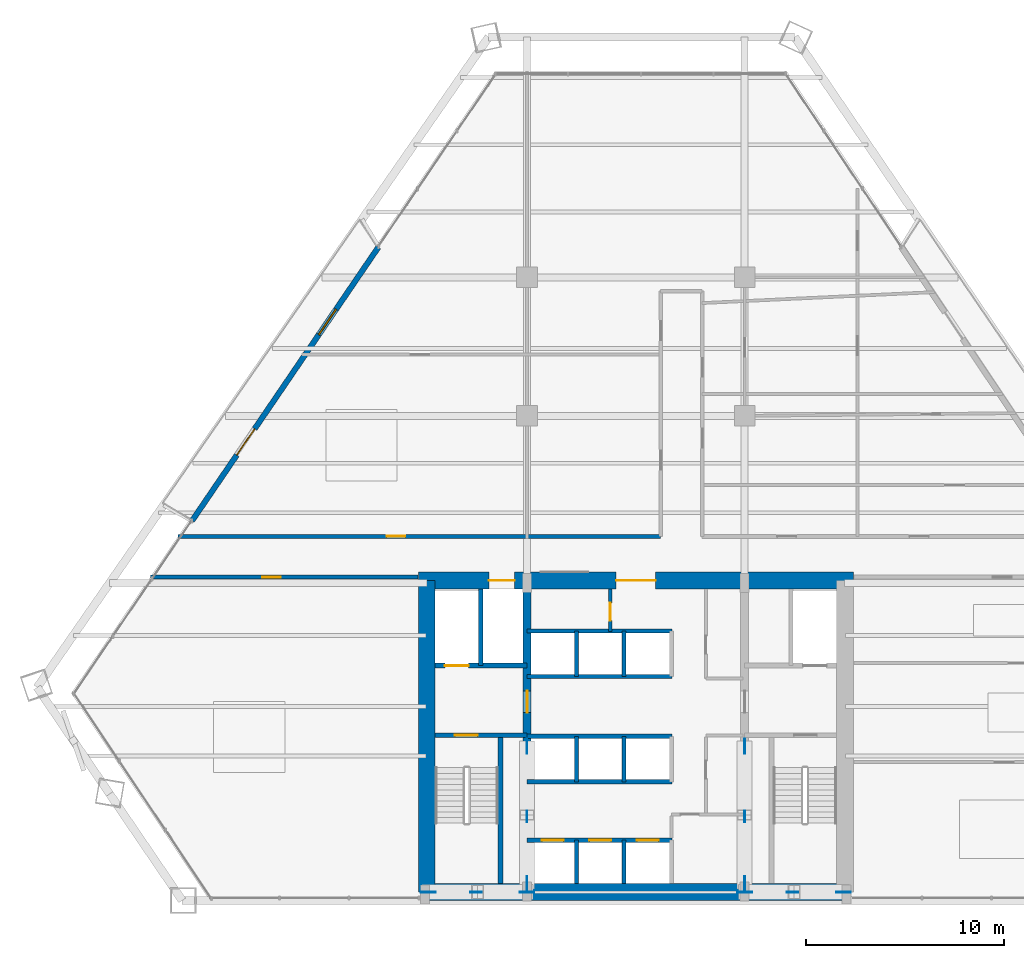
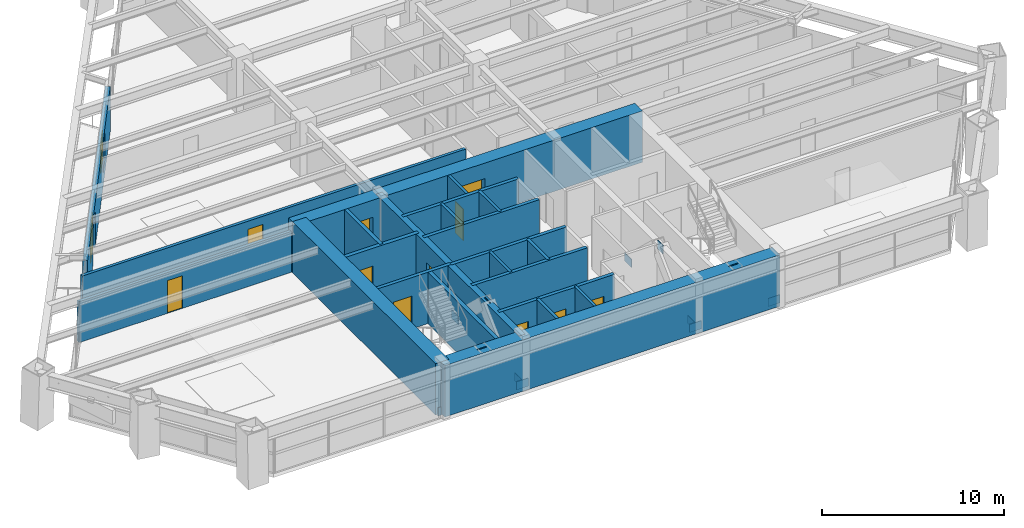
# One storey, part 10 of 14: 23 walls, 12 doors, 12 plates, 1 window, 13 openings.
"""IFC4 building model written with IfcOpenShell, lengths in metres."""

from ifc_helpers import new_model, si_unit, direction, frame, frame_2d, origin, origin_2d, place, context, subcontext, project, spatial, rectangle, extrude, source, transform, mapped, material, layer, layer_set, type_object, type_shapes, element, fill, save


model = new_model("IFC4")

# Units and contexts
model_context = context("Model", 3, precision=1e-05, world=origin(), true_north=direction((0.0, 1.0)))
body_context = subcontext(model_context, "Body", "Model", "MODEL_VIEW")
ifc_project = project(units=[si_unit("LENGTHUNIT", "METRE"), si_unit("AREAUNIT", "SQUARE_METRE"), si_unit("VOLUMEUNIT", "CUBIC_METRE"), si_unit("PLANEANGLEUNIT", "RADIAN"), si_unit("MASSUNIT", "GRAM", prefix="KILO")], contexts=[model_context])

# Site, building, storey
site_placement = place(None, origin())
site = spatial("IfcSite", under=ifc_project, at=site_placement, CompositionType="ELEMENT")
building_placement = place(site_placement, origin())
building = spatial("IfcBuilding", under=site, at=building_placement, Name="Varnakhor Terracotta Tower", CompositionType="ELEMENT")
storey_placement = place(building_placement, frame((0.0, 0.0, 49.699951171875)))
storey = spatial("IfcBuildingStorey", under=building, at=storey_placement, Name="L11", CompositionType="ELEMENT", Elevation=49.699951171875)

# Plates
ifc_material_1 = material(Name="Steel S460", Category="steel")
ifc_layer_1 = layer(ifc_material_1, 0.050048828125, Name="Steel S460")
ifc_layer_set_1 = layer_set([ifc_layer_1], Name="Steel S460")
plate_type = type_object("IfcPlateType", Name="PLT-GUSSET-50", PredefinedType="USERDEFINED", material=ifc_layer_set_1)
shared_shape_1 = source(origin(), body_context, "Body", "SweptSolid", [
    extrude(rectangle(XDim=0.75, YDim=0.0400390625, at=origin_2d()), origin(), (0.0, 0.0, 1.0), 0.550048828125),
])
type_shapes(plate_type, [shared_shape_1])
for number, where, z_axis, x_axis, name in (
    (1, (-10.5, 0.419921875, -0.09521484375), (0.0, 0.0, 1.0), (1.0, 0.0, 0.0), "L11 Core Brace Embed Plate CSWA"),
    (2, (-5.5, 0.419921875, -0.09521484375), (0.0, 0.0, 1.0), (1.0, 0.0, 0.0), "L11 Core Brace Embed Plate CSWB"),
    (3, (5.5, 0.419921875, -0.09521484375), (0.0, 0.0, 1.0), (1.0, 0.0, 0.0), "L11 Core Brace Embed Plate CSEA"),
    (4, (10.5, 0.419921875, -0.09521484375), (0.0, 0.0, 1.0), (1.0, 0.0, 0.0), "L11 Core Brace Embed Plate CSEB"),
    (5, (-5.5, 0.85009765625, -0.09521484375), (0.0, 0.0, 1.0), (0.0, 1.0, 0.0), "L11 Core Brace Embed Plate CWWA"),
    (6, (-5.5, 7.800048828125, -0.09521484375), (0.0, 0.0, 1.0), (0.0, 1.0, 0.0), "L11 Core Brace Embed Plate CWWB"),
    (7, (5.5, 0.85009765625, -0.09521484375), (0.0, 0.0, 1.0), (0.0, 1.0, 0.0), "L11 Core Brace Embed Plate CWEA"),
    (8, (5.5, 7.800048828125, -0.09521484375), (0.0, 0.0, 1.0), (0.0, 1.0, 0.0), "L11 Core Brace Embed Plate CWEB"),
):
    element("IfcPlate", number, at=place(storey_placement, frame(where, z_axis=z_axis, x_axis=x_axis)), inside=storey, type_object=plate_type, Name=name, ObjectType="GUSSET PLATE", PredefinedType="USERDEFINED", context=body_context, shape_type="MappedRepresentation", body=[
        mapped(shared_shape_1, transform((0.0, 0.0, 0.0), scale=1.0)),
    ])
shared_shape_2 = source(origin(), body_context, "Body", "SweptSolid", [
    extrude(rectangle(XDim=0.580078125, YDim=0.0400390625, at=origin_2d()), origin(), (0.0, 0.0, 1.0), 0.580078125),
])
for number, where, z_axis, x_axis, name in (
    (9, (-8.072509765625, 0.419921875, 2.914306640625), (0.0, 0.0, 1.0), (1.0, 0.0, 0.0), "L11 Brace End Connection Plate 40"),
    (10, (7.927490234375, 0.419921875, 2.914306640625), (0.0, 0.0, 1.0), (1.0, 0.0, 0.0), "L11 Brace End Connection Plate 41"),
    (11, (-5.5, 4.238037109375, 2.927490234375), (0.0, 0.0, 1.0), (0.0, 1.0, 0.0), "L11 Brace End Connection Plate 42"),
    (12, (5.5, 4.238037109375, 2.927490234375), (0.0, 0.0, 1.0), (0.0, 1.0, 0.0), "L11 Brace End Connection Plate 43"),
):
    element("IfcPlate", number, at=place(storey_placement, frame(where, z_axis=z_axis, x_axis=x_axis)), inside=storey, type_object=plate_type, Name=name, ObjectType="GUSSET PLATE", PredefinedType="USERDEFINED", context=body_context, shape_type="MappedRepresentation", body=[
        mapped(shared_shape_2, transform((0.0, 0.0, 0.0), scale=1.0)),
    ])

# Wall
ifc_material_2 = material(Name="Concrete C60/75", Category="concrete")
ifc_layer_2 = layer(ifc_material_2, 0.85009765625, Name="Concrete C60/75")
ifc_layer_set_2 = layer_set([ifc_layer_2], Name="Concrete C60/75")
wall_type_1 = type_object("IfcWallType", Name="WAL-CORE-850", PredefinedType="SHEAR", material=ifc_layer_set_2)
wall_1_placement = place(storey_placement, frame((-10.64990234375, 0.425048828125, 0.0), z_axis=(0.0, 0.0, 1.0), x_axis=(1.0, 0.0, 0.0)))
element("IfcWall", 13, at=wall_1_placement, inside=storey, type_object=wall_type_1, Name="L11 South Core Shear Wall", PredefinedType="SHEAR", context=body_context, shape_type="SweptSolid", body=[
    extrude(rectangle(XDim=21.2998046875, YDim=0.85009765625, at=frame_2d((10.64990234375, 0.0))), origin(), (0.0, 0.0, 1.0), 3.449951171875),
])

# Wall, openings, doors
wall_2_placement = place(storey_placement, frame((-11.0, 16.175048828125, 0.0), z_axis=(0.0, 0.0, 1.0), x_axis=(1.0, 0.0, 0.0)))
wall_2 = element("IfcWall", 14, at=wall_2_placement, inside=storey, type_object=wall_type_1, Name="L11 North Core Shear Wall", PredefinedType="SHEAR", context=body_context, shape_type="SweptSolid", body=[
    extrude(rectangle(XDim=22.0, YDim=0.85009765625, at=frame_2d((11.0, 0.0))), origin(), (0.0, 0.0, 1.0), 3.449951171875),
])
opening_1_placement = place(wall_2_placement, frame((3.570068359375, 0.0, 0.0)))
opening_1 = element("IfcOpeningElement", 15, at=opening_1_placement, cuts=wall_2, Name="Opening LD-03", PredefinedType="OPENING", context=body_context, shape_type="SweptSolid", body=[
    extrude(rectangle(XDim=1.300048828125, YDim=2.300048828125, at=frame_2d((0.64990234375, 1.14990234375))), frame((0.0, 0.43505859375, 0.0), z_axis=(0.0, -1.0, 0.0), x_axis=(1.0, 0.0, 0.0)), (0.0, 0.0, 1.0), 0.8701171875),
])
opening_2_placement = place(wall_2_placement, frame((10.0, 0.0, 0.0)))
opening_2 = element("IfcOpeningElement", 16, at=opening_2_placement, cuts=wall_2, Name="Opening DR-32", PredefinedType="OPENING", context=body_context, shape_type="SweptSolid", body=[
    extrude(rectangle(XDim=2.0, YDim=2.39990234375, at=frame_2d((1.0, 1.199951171875))), frame((0.0, 0.43505859375, 0.0), z_axis=(0.0, -1.0, 0.0), x_axis=(1.0, 0.0, 0.0)), (0.0, 0.0, 1.0), 0.8701171875),
])
ifc_material_3 = material(Name="Heavy-Duty Goods Sliding Lift Landing Door", Category="steel")
door_type_1 = type_object("IfcDoorType", Name="LD-SRV-1300X2300", OperationType="NOTDEFINED", PredefinedType="DOOR", material=ifc_material_3)
shared_shape_3 = source(origin(), body_context, "Body", "SweptSolid", [
    extrude(rectangle(XDim=1.300048828125, YDim=2.300048828125, at=frame_2d((0.64990234375, 1.14990234375))), frame((0.0, 0.02490234375, 0.0), z_axis=(0.0, -1.0, 0.0), x_axis=(1.0, 0.0, 0.0)), (0.0, 0.0, 1.0), 0.050048828125),
])
type_shapes(door_type_1, [shared_shape_3])
door_1_placement = place(opening_1_placement, origin())
door_1 = element("IfcDoor", 17, at=door_1_placement, inside=storey, type_object=door_type_1, Name="L11 Service Lift SVL-1 Landing Door", OperationType="SLIDING_TO_RIGHT", OverallHeight=2.300048828125, OverallWidth=1.300048828125, PredefinedType="DOOR", context=body_context, shape_type="MappedRepresentation", body=[
    mapped(shared_shape_3, transform((0.0, 0.0, 0.0), scale=1.0)),
])
fill(opening_1, door_1)
ifc_material_4 = material(Name="Acoustic Double Assembly Fire Door", Category="wood")
door_type_2 = type_object("IfcDoorType", Name="DR-HALL-2000X2400", OperationType="NOTDEFINED", PredefinedType="DOOR", material=ifc_material_4)
shared_shape_4 = source(origin(), body_context, "Body", "SweptSolid", [
    extrude(rectangle(XDim=2.0, YDim=2.39990234375, at=frame_2d((1.0, 1.199951171875))), frame((0.0, 0.02490234375, 0.0), z_axis=(0.0, -1.0, 0.0), x_axis=(1.0, 0.0, 0.0)), (0.0, 0.0, 1.0), 0.050048828125),
])
type_shapes(door_type_2, [shared_shape_4])
door_2_placement = place(opening_2_placement, origin())
door_2 = element("IfcDoor", 18, at=door_2_placement, inside=storey, type_object=door_type_2, Name="L11 Core Main Lobby Double Door", OperationType="DOUBLE_DOOR_SINGLE_SWING", OverallHeight=2.39990234375, OverallWidth=2.0, PredefinedType="DOOR", context=body_context, shape_type="MappedRepresentation", body=[
    mapped(shared_shape_4, transform((0.0, 0.0, 0.0), scale=1.0)),
])
fill(opening_2, door_2)

# Wall
wall_3_placement = place(storey_placement, frame((-10.574951171875, 0.425048828125, 0.0), z_axis=(0.0, 0.0, 1.0), x_axis=(0.0, 1.0, 0.0)))
element("IfcWall", 19, at=wall_3_placement, inside=storey, type_object=wall_type_1, Name="L11 West Core Shear Wall", PredefinedType="SHEAR", context=body_context, shape_type="SweptSolid", body=[
    extrude(rectangle(XDim=15.75, YDim=0.85009765625, at=frame_2d((7.875, 0.0))), origin(), (0.0, 0.0, 1.0), 3.449951171875),
])

# Wall, opening, door
ifc_material_5 = material(Name="Concrete C50/60", Category="concrete")
ifc_layer_3 = layer(ifc_material_5, 0.39990234375, Name="Concrete C50/60")
ifc_layer_set_3 = layer_set([ifc_layer_3], Name="Concrete C50/60")
wall_type_2 = type_object("IfcWallType", Name="WAL-CORE-WEB-400", PredefinedType="SHEAR", material=ifc_layer_set_3)
wall_4_placement = place(storey_placement, frame((-5.5, 0.425048828125, 0.0), z_axis=(0.0, 0.0, 1.0), x_axis=(0.0, 1.0, 0.0)))
wall_4 = element("IfcWall", 20, at=wall_4_placement, inside=storey, type_object=wall_type_2, Name="L11 West Core Web Shear Wall", PredefinedType="SHEAR", context=body_context, shape_type="SweptSolid", body=[
    extrude(rectangle(XDim=15.75, YDim=0.39990234375, at=frame_2d((7.875, 0.0))), origin(), (0.0, 0.0, 1.0), 3.449951171875),
])
opening_3_placement = place(wall_4_placement, frame((9.074951171875, 0.0, 0.0)))
opening_3 = element("IfcOpeningElement", 21, at=opening_3_placement, cuts=wall_4, Name="Opening DR-25", PredefinedType="OPENING", context=body_context, shape_type="SweptSolid", body=[
    extrude(rectangle(XDim=1.10009765625, YDim=2.199951171875, at=frame_2d((0.550048828125, 1.10009765625))), frame((0.0, 0.2099609375, 0.0), z_axis=(0.0, -1.0, 0.0), x_axis=(1.0, 0.0, 0.0)), (0.0, 0.0, 1.0), 0.419921875),
])
ifc_material_6 = material(Name="Firefighting Lobby Self-Closing Fire Door", Category="steel")
door_type_3 = type_object("IfcDoorType", Name="DR-FFL-1100X2200", OperationType="NOTDEFINED", PredefinedType="DOOR", material=ifc_material_6)
shared_shape_5 = source(origin(), body_context, "Body", "SweptSolid", [
    extrude(rectangle(XDim=1.10009765625, YDim=2.199951171875, at=frame_2d((0.550048828125, 1.10009765625))), frame((0.0, 0.02490234375, 0.0), z_axis=(0.0, -1.0, 0.0), x_axis=(1.0, 0.0, 0.0)), (0.0, 0.0, 1.0), 0.050048828125),
])
type_shapes(door_type_3, [shared_shape_5])
door_3_placement = place(opening_3_placement, origin())
door_3 = element("IfcDoor", 22, at=door_3_placement, inside=storey, type_object=door_type_3, Name="L11 West Firefighting Lobby Door", OperationType="SINGLE_SWING_LEFT", OverallHeight=2.199951171875, OverallWidth=1.10009765625, PredefinedType="DOOR", context=body_context, shape_type="MappedRepresentation", body=[
    mapped(shared_shape_5, transform((0.0, 0.0, 0.0), scale=1.0)),
])
fill(opening_3, door_3)

ifc_material_7 = material(Name="Fire-Rated Gypsum Stud Partition", Category="gypsum")
ifc_layer_4 = layer(ifc_material_7, 0.18505859375, Name="Fire-Rated Gypsum Stud Partition")
ifc_layer_set_4 = layer_set([ifc_layer_4], Name="Fire-Rated Gypsum Stud Partition")
wall_type_3 = type_object("IfcWallType", Name="WAL-CORR-185", PredefinedType="PARTITIONING", material=ifc_layer_set_4)
wall_5_placement = place(storey_placement, frame((-24.531005859375, 16.35009765625, 0.0), z_axis=(0.0, 0.0, 1.0), x_axis=(1.0, 0.0, 0.0)))
wall_5 = element("IfcWall", 23, at=wall_5_placement, inside=storey, type_object=wall_type_3, Name="L11 South West Corridor Wall", PredefinedType="PARTITIONING", context=body_context, shape_type="SweptSolid", body=[
    extrude(rectangle(XDim=13.510986328125, YDim=0.18505859375, at=frame_2d((6.75537109375, 0.0))), origin(), (0.0, 0.0, 1.0), 2.7470703125),
])
opening_4_placement = place(wall_5_placement, frame((5.638916015625, 0.0, 0.0)))
opening_4 = element("IfcOpeningElement", 24, at=opening_4_placement, cuts=wall_5, Name="Opening DR-94", PredefinedType="OPENING", context=body_context, shape_type="SweptSolid", body=[
    extrude(rectangle(XDim=0.949951171875, YDim=2.199951171875, at=frame_2d((0.47509765625, 1.10009765625))), frame((0.0, 0.1025390625, 0.0), z_axis=(0.0, -1.0, 0.0), x_axis=(1.0, 0.0, 0.0)), (0.0, 0.0, 1.0), 0.205078125),
])
ifc_material_8 = material(Name="Acoustic Glazed-Vision Timber Office Door", Category="wood")
door_type_4 = type_object("IfcDoorType", Name="DR-OFF-950X2200", OperationType="NOTDEFINED", PredefinedType="DOOR", material=ifc_material_8)
shared_shape_6 = source(origin(), body_context, "Body", "SweptSolid", [
    extrude(rectangle(XDim=0.949951171875, YDim=2.199951171875, at=frame_2d((0.47509765625, 1.10009765625))), frame((0.0, 0.02490234375, 0.0), z_axis=(0.0, -1.0, 0.0), x_axis=(1.0, 0.0, 0.0)), (0.0, 0.0, 1.0), 0.050048828125),
])
type_shapes(door_type_4, [shared_shape_6])
door_4_placement = place(opening_4_placement, origin())
door_4 = element("IfcDoor", 25, at=door_4_placement, inside=storey, type_object=door_type_4, Name="L11 SW Suite Door", OperationType="SINGLE_SWING_RIGHT", OverallHeight=2.199951171875, OverallWidth=0.949951171875, PredefinedType="DOOR", context=body_context, shape_type="MappedRepresentation", body=[
    mapped(shared_shape_6, transform((0.0, 0.0, 0.0), scale=1.0)),
])
fill(opening_4, door_4)

wall_6_placement = place(storey_placement, frame((-23.134765625, 18.39990234375, 0.0), z_axis=(0.0, 0.0, 1.0), x_axis=(1.0, 0.0, 0.0)))
wall_6 = element("IfcWall", 26, at=wall_6_placement, inside=storey, type_object=wall_type_3, Name="L11 Corridor North West Wall", PredefinedType="PARTITIONING", context=body_context, shape_type="SweptSolid", body=[
    extrude(rectangle(XDim=24.384765625, YDim=0.18505859375, at=frame_2d((12.1923828125, 0.0))), origin(), (0.0, 0.0, 1.0), 2.7470703125),
])
opening_5_placement = place(wall_6_placement, frame((10.531982421875, 0.0, 0.0)))
opening_5 = element("IfcOpeningElement", 27, at=opening_5_placement, cuts=wall_6, Name="Opening DR-94", PredefinedType="OPENING", context=body_context, shape_type="SweptSolid", body=[
    extrude(rectangle(XDim=0.949951171875, YDim=2.199951171875, at=frame_2d((0.47509765625, 1.10009765625))), frame((0.0, 0.1025390625, 0.0), z_axis=(0.0, -1.0, 0.0), x_axis=(1.0, 0.0, 0.0)), (0.0, 0.0, 1.0), 0.205078125),
])
door_5_placement = place(opening_5_placement, origin())
door_5 = element("IfcDoor", 28, at=door_5_placement, inside=storey, type_object=door_type_4, Name="L11 West Workplace Door", OperationType="SINGLE_SWING_RIGHT", OverallHeight=2.199951171875, OverallWidth=0.949951171875, PredefinedType="DOOR", context=body_context, shape_type="MappedRepresentation", body=[
    mapped(shared_shape_6, transform((0.0, 0.0, 0.0), scale=1.0)),
])
fill(opening_5, door_5)

# Wall, openings, door, window
ifc_material_9 = material(Name="Extruded Architectural Terracotta Assembly", Category="masonry")
ifc_layer_5 = layer(ifc_material_9, 0.280029296875, Name="Extruded Architectural Terracotta Assembly")
ifc_layer_set_5 = layer_set([ifc_layer_5], Name="Extruded Architectural Terracotta Assembly")
wall_type_4 = type_object("IfcWallType", Name="WAL-EXT-TERRACOTTA-280", PredefinedType="SOLIDWALL", material=ifc_layer_set_5)
wall_7_placement = place(storey_placement, frame((-22.434814453125, 19.196533203125, 0.0), z_axis=(0.0, 0.0, 1.0), x_axis=(0.562920759349, 0.826510870282, 0.0)))
wall_7 = element("IfcWall", 29, at=wall_7_placement, inside=storey, type_object=wall_type_4, Name="L11 W Loggia Insulated Terracotta Wall", PredefinedType="SOLIDWALL", context=body_context, shape_type="SweptSolid", body=[
    extrude(rectangle(XDim=16.73583984375, YDim=0.280029296875, at=frame_2d((8.367919921875, 0.0))), origin(), (0.0, 0.0, 1.0), 3.030029296875),
])
opening_6_placement = place(wall_7_placement, frame((4.0166015625, 0.0, 0.0)))
opening_6 = element("IfcOpeningElement", 30, at=opening_6_placement, cuts=wall_7, Name="Opening DR-62", PredefinedType="OPENING", context=body_context, shape_type="SweptSolid", body=[
    extrude(rectangle(XDim=1.60009765625, YDim=2.35009765625, at=frame_2d((0.800048828125, 1.175048828125))), frame((0.0, 0.14990234375, 0.0), z_axis=(0.0, -1.0, 0.0), x_axis=(1.0, 0.0, 0.0)), (0.0, 0.0, 1.0), 0.300048828125),
])
opening_7_placement = place(wall_7_placement, frame((11.38037109375, 0.0, 0.89990234375)))
opening_7 = element("IfcOpeningElement", 31, at=opening_7_placement, cuts=wall_7, Name="Opening WN-57", PredefinedType="OPENING", context=body_context, shape_type="SweptSolid", body=[
    extrude(rectangle(XDim=1.550048828125, YDim=1.85009765625, at=frame_2d((0.77490234375, 0.925048828125))), frame((0.0, 0.14990234375, 0.0), z_axis=(0.0, -1.0, 0.0), x_axis=(1.0, 0.0, 0.0)), (0.0, 0.0, 1.0), 0.300048828125),
])
ifc_material_10 = material(Name="Thermally Broken Sliding Glass Loggia Door", Category="glass")
door_type_5 = type_object("IfcDoorType", Name="DR-EXT-LOGGIA-1600X2350", OperationType="NOTDEFINED", PredefinedType="DOOR", material=ifc_material_10)
shared_shape_7 = source(origin(), body_context, "Body", "SweptSolid", [
    extrude(rectangle(XDim=1.60009765625, YDim=2.35009765625, at=frame_2d((0.800048828125, 1.175048828125))), frame((0.0, 0.02490234375, 0.0), z_axis=(0.0, -1.0, 0.0), x_axis=(1.0, 0.0, 0.0)), (0.0, 0.0, 1.0), 0.050048828125),
])
type_shapes(door_type_5, [shared_shape_7])
door_6_placement = place(opening_6_placement, origin())
door_6 = element("IfcDoor", 32, at=door_6_placement, inside=storey, type_object=door_type_5, Name="L11 W Recessed Loggia Sliding Door", OperationType="SLIDING_TO_LEFT", OverallHeight=2.35009765625, OverallWidth=1.60009765625, PredefinedType="DOOR", context=body_context, shape_type="MappedRepresentation", body=[
    mapped(shared_shape_7, transform((0.0, 0.0, 0.0), scale=1.0)),
])
fill(opening_6, door_6)
ifc_material_11 = material(Name="Solar-Control Low-E Insulated Glass Unit", Category="glass")
window_type = type_object("IfcWindowType", Name="WIN-OFF-1650X2100", PartitioningType="SINGLE_PANEL", PredefinedType="WINDOW", material=ifc_material_11)
shared_shape_8 = source(origin(), body_context, "Body", "SweptSolid", [
    extrude(rectangle(XDim=1.550048828125, YDim=1.85009765625, at=frame_2d((0.77490234375, 0.925048828125))), frame((0.0, 0.030029296875, 0.0), z_axis=(0.0, -1.0, 0.0), x_axis=(1.0, 0.0, 0.0)), (0.0, 0.0, 1.0), 0.06005859375),
])
type_shapes(window_type, [shared_shape_8])
window_placement = place(opening_7_placement, origin())
window = element("IfcWindow", 33, at=window_placement, inside=storey, type_object=window_type, Name="L11 W Facet Punched Window", OverallHeight=1.85009765625, OverallWidth=1.550048828125, PartitioningType="SINGLE_PANEL", PredefinedType="WINDOW", context=body_context, shape_type="MappedRepresentation", body=[
    mapped(shared_shape_8, transform((0.0, 0.0, 0.0), scale=1.0)),
])
fill(opening_7, window)

# Wall, opening, door
ifc_material_12 = material(Name="Concrete C40/50", Category="concrete")
ifc_layer_6 = layer(ifc_material_12, 0.219970703125, Name="Concrete C40/50")
ifc_layer_set_6 = layer_set([ifc_layer_6], Name="Concrete C40/50")
wall_type_5 = type_object("IfcWallType", Name="WAL-FFLOBBY-220", PredefinedType="SOLIDWALL", material=ifc_layer_set_6)
wall_8_placement = place(storey_placement, frame((-5.5, 8.35009765625, 0.0), z_axis=(0.0, 0.0, 1.0), x_axis=(-1.0, 0.0, 0.0)))
wall_8 = element("IfcWall", 34, at=wall_8_placement, inside=storey, type_object=wall_type_5, Name="L11 West Firefighting Lobby Stair Wall", PredefinedType="SOLIDWALL", context=body_context, shape_type="SweptSolid", body=[
    extrude(rectangle(XDim=4.64990234375, YDim=0.219970703125, at=frame_2d((2.324951171875, 0.0))), origin(), (0.0, 0.0, 1.0), 3.449951171875),
])
opening_8_placement = place(wall_8_placement, frame((2.5, 0.0, 0.0)))
opening_8 = element("IfcOpeningElement", 35, at=opening_8_placement, cuts=wall_8, Name="Opening DR-34", PredefinedType="OPENING", context=body_context, shape_type="SweptSolid", body=[
    extrude(rectangle(XDim=1.14990234375, YDim=2.199951171875, at=frame_2d((0.574951171875, 1.10009765625))), frame((0.0, 0.1201171875, 0.0), z_axis=(0.0, -1.0, 0.0), x_axis=(1.0, 0.0, 0.0)), (0.0, 0.0, 1.0), 0.239990234375),
])
ifc_material_13 = material(Name="Self-Closing Smoke-Sealed Steel Fire Door", Category="steel")
door_type_6 = type_object("IfcDoorType", Name="DR-STAIR-1150X2200", OperationType="NOTDEFINED", PredefinedType="DOOR", material=ifc_material_13)
shared_shape_9 = source(origin(), body_context, "Body", "SweptSolid", [
    extrude(rectangle(XDim=1.14990234375, YDim=2.199951171875, at=frame_2d((0.574951171875, 1.10009765625))), frame((0.0, 0.02490234375, 0.0), z_axis=(0.0, -1.0, 0.0), x_axis=(1.0, 0.0, 0.0)), (0.0, 0.0, 1.0), 0.050048828125),
])
type_shapes(door_type_6, [shared_shape_9])
door_7_placement = place(opening_8_placement, origin())
door_7 = element("IfcDoor", 36, at=door_7_placement, inside=storey, type_object=door_type_6, Name="L11 Exit Stair ST-1 Fire Door", OperationType="SINGLE_SWING_RIGHT", OverallHeight=2.199951171875, OverallWidth=1.14990234375, PredefinedType="DOOR", context=body_context, shape_type="MappedRepresentation", body=[
    mapped(shared_shape_9, transform((0.0, 0.0, 0.0), scale=1.0)),
])
fill(opening_8, door_7)

# Walls
ifc_layer_7 = layer(ifc_material_12, 0.179931640625, Name="Concrete C40/50")
ifc_layer_set_7 = layer_set([ifc_layer_7], Name="Concrete C40/50")
wall_type_6 = type_object("IfcWallType", Name="WAL-SHAFT-180", PredefinedType="SOLIDWALL", material=ifc_layer_set_7)
for number, where, z_axis, x_axis, name in (
    (37, (-3.0, 0.85009765625, 0.0), (0.0, 0.0, 1.0), (0.0, 1.0, 0.0), "L11 PL-1A Divider"),
    (38, (-0.60009765625, 0.85009765625, 0.0), (0.0, 0.0, 1.0), (0.0, 1.0, 0.0), "L11 PL-1B Divider"),
):
    element("IfcWall", number, at=place(storey_placement, frame(where, z_axis=z_axis, x_axis=x_axis)), inside=storey, type_object=wall_type_6, Name=name, PredefinedType="SOLIDWALL", context=body_context, shape_type="SweptSolid", body=[
        extrude(rectangle(XDim=2.199951171875, YDim=0.179931640625, at=frame_2d((1.10009765625, 0.0))), origin(), (0.0, 0.0, 1.0), 3.449951171875),
    ])
for number, where, z_axis, x_axis, name in (
    (39, (-3.0, 6.0, 0.0), (0.0, 0.0, 1.0), (0.0, 1.0, 0.0), "L11 PL-2A Divider"),
    (40, (-0.60009765625, 6.0, 0.0), (0.0, 0.0, 1.0), (0.0, 1.0, 0.0), "L11 PL-2B Divider"),
    (41, (-3.0, 11.320068359375, 0.0), (0.0, 0.0, 1.0), (0.0, 1.0, 0.0), "L11 PL-3A Divider"),
    (42, (-0.60009765625, 11.320068359375, 0.0), (0.0, 0.0, 1.0), (0.0, 1.0, 0.0), "L11 PL-3B Divider"),
):
    element("IfcWall", number, at=place(storey_placement, frame(where, z_axis=z_axis, x_axis=x_axis)), inside=storey, type_object=wall_type_6, Name=name, PredefinedType="SOLIDWALL", context=body_context, shape_type="SweptSolid", body=[
        extrude(rectangle(XDim=2.300048828125, YDim=0.179931640625, at=frame_2d((1.14990234375, 0.0))), origin(), (0.0, 0.0, 1.0), 3.449951171875),
    ])
ifc_layer_8 = layer(ifc_material_12, 0.219970703125, Name="Concrete C40/50")
ifc_layer_set_8 = layer_set([ifc_layer_8], Name="Concrete C40/50")
wall_type_7 = type_object("IfcWallType", Name="WAL-SHAFT-220", PredefinedType="SOLIDWALL", material=ifc_layer_set_8)
wall_9_placement = place(storey_placement, frame((-7.840087890625, 11.8701171875, 0.0), z_axis=(0.0, 0.0, 1.0), x_axis=(0.0, 1.0, 0.0)))
element("IfcWall", 43, at=wall_9_placement, inside=storey, type_object=wall_type_7, Name="L11 Lift FFL-1 and SVL-1 Divider Wall", PredefinedType="SOLIDWALL", context=body_context, shape_type="SweptSolid", body=[
    extrude(rectangle(XDim=3.8798828125, YDim=0.219970703125, at=frame_2d((1.93994140625, 0.0))), origin(), (0.0, 0.0, 1.0), 3.449951171875),
])

# Wall, openings, doors
wall_10_placement = place(storey_placement, frame((-5.5, 3.050048828125, 0.0), z_axis=(0.0, 0.0, 1.0), x_axis=(1.0, 0.0, 0.0)))
wall_10 = element("IfcWall", 44, at=wall_10_placement, inside=storey, type_object=wall_type_7, Name="L11 Bank 1 Lift Shaft Wall", PredefinedType="SOLIDWALL", context=body_context, shape_type="SweptSolid", body=[
    extrude(rectangle(XDim=7.320068359375, YDim=0.219970703125, at=frame_2d((3.66015625, 0.0))), origin(), (0.0, 0.0, 1.0), 3.449951171875),
])
opening_9_placement = place(wall_10_placement, frame((0.75, 0.0, 0.0)))
opening_9 = element("IfcOpeningElement", 45, at=opening_9_placement, cuts=wall_10, Name="Opening LD-01", PredefinedType="OPENING", context=body_context, shape_type="SweptSolid", body=[
    extrude(rectangle(XDim=1.10009765625, YDim=2.199951171875, at=frame_2d((0.550048828125, 1.10009765625))), frame((0.0, 0.1201171875, 0.0), z_axis=(0.0, -1.0, 0.0), x_axis=(1.0, 0.0, 0.0)), (0.0, 0.0, 1.0), 0.239990234375),
])
opening_10_placement = place(wall_10_placement, frame((3.14990234375, 0.0, 0.0)))
opening_10 = element("IfcOpeningElement", 46, at=opening_10_placement, cuts=wall_10, Name="Opening LD-01", PredefinedType="OPENING", context=body_context, shape_type="SweptSolid", body=[
    extrude(rectangle(XDim=1.10009765625, YDim=2.199951171875, at=frame_2d((0.550048828125, 1.10009765625))), frame((0.0, 0.1201171875, 0.0), z_axis=(0.0, -1.0, 0.0), x_axis=(1.0, 0.0, 0.0)), (0.0, 0.0, 1.0), 0.239990234375),
])
opening_11_placement = place(wall_10_placement, frame((5.550048828125, 0.0, 0.0)))
opening_11 = element("IfcOpeningElement", 47, at=opening_11_placement, cuts=wall_10, Name="Opening LD-01", PredefinedType="OPENING", context=body_context, shape_type="SweptSolid", body=[
    extrude(rectangle(XDim=1.10009765625, YDim=2.199951171875, at=frame_2d((0.550048828125, 1.10009765625))), frame((0.0, 0.1201171875, 0.0), z_axis=(0.0, -1.0, 0.0), x_axis=(1.0, 0.0, 0.0)), (0.0, 0.0, 1.0), 0.239990234375),
])
ifc_material_14 = material(Name="Brushed Stainless Steel Sliding Lift Landing Door", Category="steel")
door_type_7 = type_object("IfcDoorType", Name="LD-PASS-1100X2200", OperationType="NOTDEFINED", PredefinedType="DOOR", material=ifc_material_14)
shared_shape_10 = source(origin(), body_context, "Body", "SweptSolid", [
    extrude(rectangle(XDim=1.10009765625, YDim=2.199951171875, at=frame_2d((0.550048828125, 1.10009765625))), frame((0.0, 0.02490234375, 0.0), z_axis=(0.0, -1.0, 0.0), x_axis=(1.0, 0.0, 0.0)), (0.0, 0.0, 1.0), 0.050048828125),
])
type_shapes(door_type_7, [shared_shape_10])
door_8_placement = place(opening_9_placement, origin())
door_8 = element("IfcDoor", 48, at=door_8_placement, inside=storey, type_object=door_type_7, Name="L11 Passenger Lift PL-1A Landing Door", OperationType="SLIDING_TO_RIGHT", OverallHeight=2.199951171875, OverallWidth=1.10009765625, PredefinedType="DOOR", context=body_context, shape_type="MappedRepresentation", body=[
    mapped(shared_shape_10, transform((0.0, 0.0, 0.0), scale=1.0)),
])
fill(opening_9, door_8)
door_9_placement = place(opening_10_placement, origin())
door_9 = element("IfcDoor", 49, at=door_9_placement, inside=storey, type_object=door_type_7, Name="L11 Passenger Lift PL-1B Landing Door", OperationType="SLIDING_TO_RIGHT", OverallHeight=2.199951171875, OverallWidth=1.10009765625, PredefinedType="DOOR", context=body_context, shape_type="MappedRepresentation", body=[
    mapped(shared_shape_10, transform((0.0, 0.0, 0.0), scale=1.0)),
])
fill(opening_10, door_9)
door_10_placement = place(opening_11_placement, origin())
door_10 = element("IfcDoor", 50, at=door_10_placement, inside=storey, type_object=door_type_7, Name="L11 Passenger Lift PL-1C Landing Door", OperationType="SLIDING_TO_RIGHT", OverallHeight=2.199951171875, OverallWidth=1.10009765625, PredefinedType="DOOR", context=body_context, shape_type="MappedRepresentation", body=[
    mapped(shared_shape_10, transform((0.0, 0.0, 0.0), scale=1.0)),
])
fill(opening_11, door_10)

# Walls
for number, where, z_axis, x_axis, name in (
    (51, (-5.5, 6.0, 0.0), (0.0, 0.0, 1.0), (1.0, 0.0, 0.0), "L11 Bank 2 South Shaft Wall"),
    (52, (-5.5, 8.300048828125, 0.0), (0.0, 0.0, 1.0), (1.0, 0.0, 0.0), "L11 Bank 2 North Shaft Wall"),
    (53, (-5.5, 11.320068359375, 0.0), (0.0, 0.0, 1.0), (1.0, 0.0, 0.0), "L11 Bank 3 South Shaft Wall"),
    (54, (-5.5, 13.6201171875, 0.0), (0.0, 0.0, 1.0), (1.0, 0.0, 0.0), "L11 Bank 3 North Shaft Wall"),
):
    element("IfcWall", number, at=place(storey_placement, frame(where, z_axis=z_axis, x_axis=x_axis)), inside=storey, type_object=wall_type_7, Name=name, PredefinedType="SOLIDWALL", context=body_context, shape_type="SweptSolid", body=[
        extrude(rectangle(XDim=7.320068359375, YDim=0.219970703125, at=frame_2d((3.66015625, 0.0))), origin(), (0.0, 0.0, 1.0), 3.449951171875),
    ])
ifc_layer_9 = layer(ifc_material_12, 0.25, Name="Concrete C40/50")
ifc_layer_set_9 = layer_set([ifc_layer_9], Name="Concrete C40/50")
wall_type_8 = type_object("IfcWallType", Name="WAL-SHAFT-250", PredefinedType="SOLIDWALL", material=ifc_layer_set_9)
wall_11_placement = place(storey_placement, frame((-6.85009765625, 0.85009765625, 0.0), z_axis=(0.0, 0.0, 1.0), x_axis=(0.0, 1.0, 0.0)))
element("IfcWall", 55, at=wall_11_placement, inside=storey, type_object=wall_type_8, Name="L11 Stair ST-1 Bearing Shaft Wall", PredefinedType="SOLIDWALL", context=body_context, shape_type="SweptSolid", body=[
    extrude(rectangle(XDim=7.5, YDim=0.25, at=frame_2d((3.75, 0.0))), origin(), (0.0, 0.0, 1.0), 3.449951171875),
])

# Wall, opening, door
wall_12_placement = place(storey_placement, frame((-5.5, 11.8701171875, 0.0), z_axis=(0.0, 0.0, 1.0), x_axis=(-1.0, 0.0, 0.0)))
wall_12 = element("IfcWall", 56, at=wall_12_placement, inside=storey, type_object=wall_type_8, Name="L11 Lift FFL-1 Shaft Front Wall", PredefinedType="SOLIDWALL", context=body_context, shape_type="SweptSolid", body=[
    extrude(rectangle(XDim=4.64990234375, YDim=0.25, at=frame_2d((2.324951171875, 0.0))), origin(), (0.0, 0.0, 1.0), 3.449951171875),
])
opening_12_placement = place(wall_12_placement, frame((2.949951171875, 0.0, 0.0)))
opening_12 = element("IfcOpeningElement", 57, at=opening_12_placement, cuts=wall_12, Name="Opening LD-02", PredefinedType="OPENING", context=body_context, shape_type="SweptSolid", body=[
    extrude(rectangle(XDim=1.199951171875, YDim=2.25, at=frame_2d((0.60009765625, 1.125))), frame((0.0, 0.135009765625, 0.0), z_axis=(0.0, -1.0, 0.0), x_axis=(1.0, 0.0, 0.0)), (0.0, 0.0, 1.0), 0.27001953125),
])
ifc_material_15 = material(Name="Firefighting Stretcher Sliding Lift Landing Door", Category="steel")
door_type_8 = type_object("IfcDoorType", Name="LD-FFL-1200X2250", OperationType="NOTDEFINED", PredefinedType="DOOR", material=ifc_material_15)
shared_shape_11 = source(origin(), body_context, "Body", "SweptSolid", [
    extrude(rectangle(XDim=1.199951171875, YDim=2.25, at=frame_2d((0.60009765625, 1.125))), frame((0.0, 0.02490234375, 0.0), z_axis=(0.0, -1.0, 0.0), x_axis=(1.0, 0.0, 0.0)), (0.0, 0.0, 1.0), 0.050048828125),
])
type_shapes(door_type_8, [shared_shape_11])
door_11_placement = place(opening_12_placement, origin())
door_11 = element("IfcDoor", 58, at=door_11_placement, inside=storey, type_object=door_type_8, Name="L11 Firefighting Lift FFL-1 Landing Door", OperationType="SLIDING_TO_LEFT", OverallHeight=2.25, OverallWidth=1.199951171875, PredefinedType="DOOR", context=body_context, shape_type="MappedRepresentation", body=[
    mapped(shared_shape_11, transform((0.0, 0.0, 0.0), scale=1.0)),
])
fill(opening_12, door_11)

ifc_material_16 = material(Name="Acoustic Fire-Rated Partition", Category="gypsum")
ifc_layer_10 = layer(ifc_material_16, 0.1650390625, Name="Acoustic Fire-Rated Partition")
ifc_layer_set_10 = layer_set([ifc_layer_10], Name="Acoustic Fire-Rated Partition")
wall_type_9 = type_object("IfcWallType", Name="WAL-TENANCY-165", PredefinedType="PARTITIONING", material=ifc_layer_set_10)
wall_13_placement = place(storey_placement, frame((-1.300048828125, 13.60009765625, 0.0), z_axis=(0.0, 0.0, 1.0), x_axis=(0.0, 1.0, 0.0)))
wall_13 = element("IfcWall", 59, at=wall_13_placement, inside=storey, type_object=wall_type_9, Name="L11 Male Restroom Wall", PredefinedType="PARTITIONING", context=body_context, shape_type="SweptSolid", body=[
    extrude(rectangle(XDim=2.14990234375, YDim=0.1650390625, at=frame_2d((1.074951171875, 0.0))), origin(), (0.0, 0.0, 1.0), 3.442138671875),
])
opening_13_placement = place(wall_13_placement, frame((0.550048828125, 0.0, 0.0)))
opening_13 = element("IfcOpeningElement", 60, at=opening_13_placement, cuts=wall_13, Name="Opening DR-67", PredefinedType="OPENING", context=body_context, shape_type="SweptSolid", body=[
    extrude(rectangle(XDim=0.89990234375, YDim=2.10009765625, at=frame_2d((0.449951171875, 1.050048828125))), frame((0.0, 0.092529296875, 0.0), z_axis=(0.0, -1.0, 0.0), x_axis=(1.0, 0.0, 0.0)), (0.0, 0.0, 1.0), 0.18505859375),
])
ifc_material_17 = material(Name="Steel Service Riser Fire Door", Category="steel")
door_type_9 = type_object("IfcDoorType", Name="DR-RISER-900X2100", OperationType="NOTDEFINED", PredefinedType="DOOR", material=ifc_material_17)
shared_shape_12 = source(origin(), body_context, "Body", "SweptSolid", [
    extrude(rectangle(XDim=0.89990234375, YDim=2.10009765625, at=frame_2d((0.449951171875, 1.050048828125))), frame((0.0, 0.02490234375, 0.0), z_axis=(0.0, -1.0, 0.0), x_axis=(1.0, 0.0, 0.0)), (0.0, 0.0, 1.0), 0.050048828125),
])
type_shapes(door_type_9, [shared_shape_12])
door_12_placement = place(opening_13_placement, origin())
door_12 = element("IfcDoor", 61, at=door_12_placement, inside=storey, type_object=door_type_9, Name="L11 Male WC Door", OperationType="SINGLE_SWING_RIGHT", OverallHeight=2.10009765625, OverallWidth=0.89990234375, PredefinedType="DOOR", context=body_context, shape_type="MappedRepresentation", body=[
    mapped(shared_shape_12, transform((0.0, 0.0, 0.0), scale=1.0)),
])
fill(opening_13, door_12)

save(model, "model.ifc")
